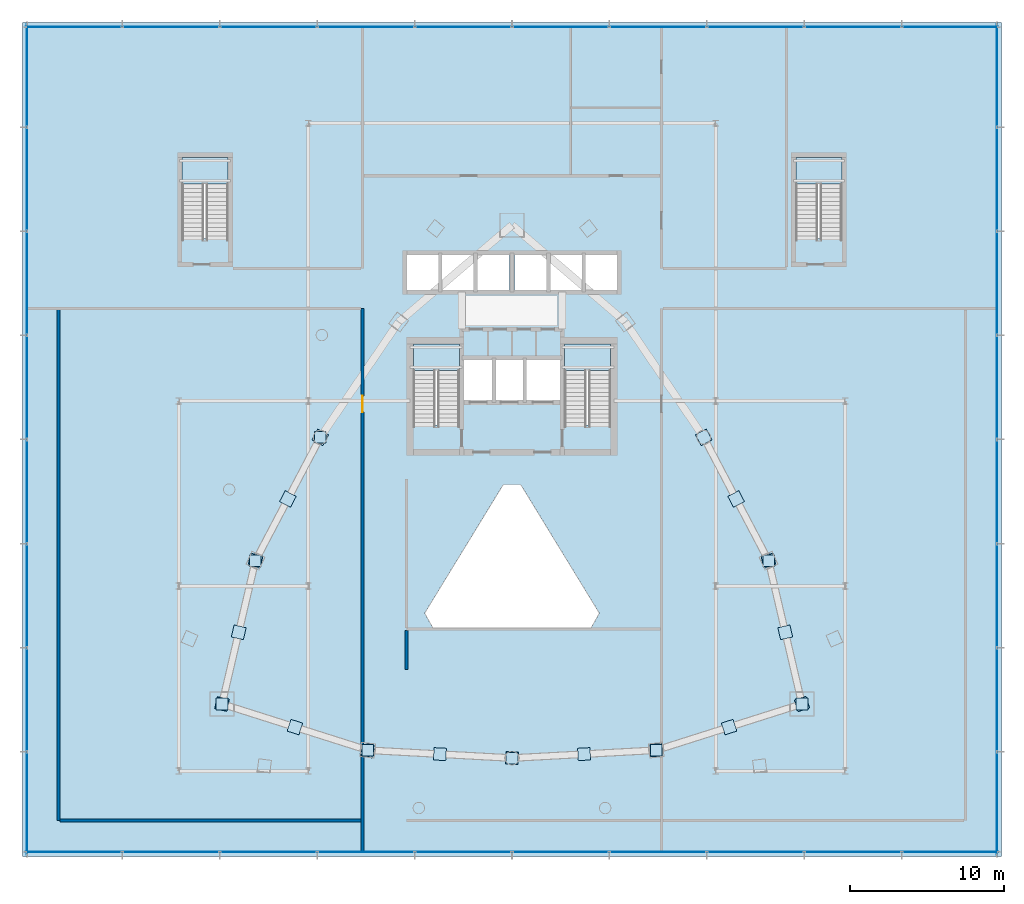
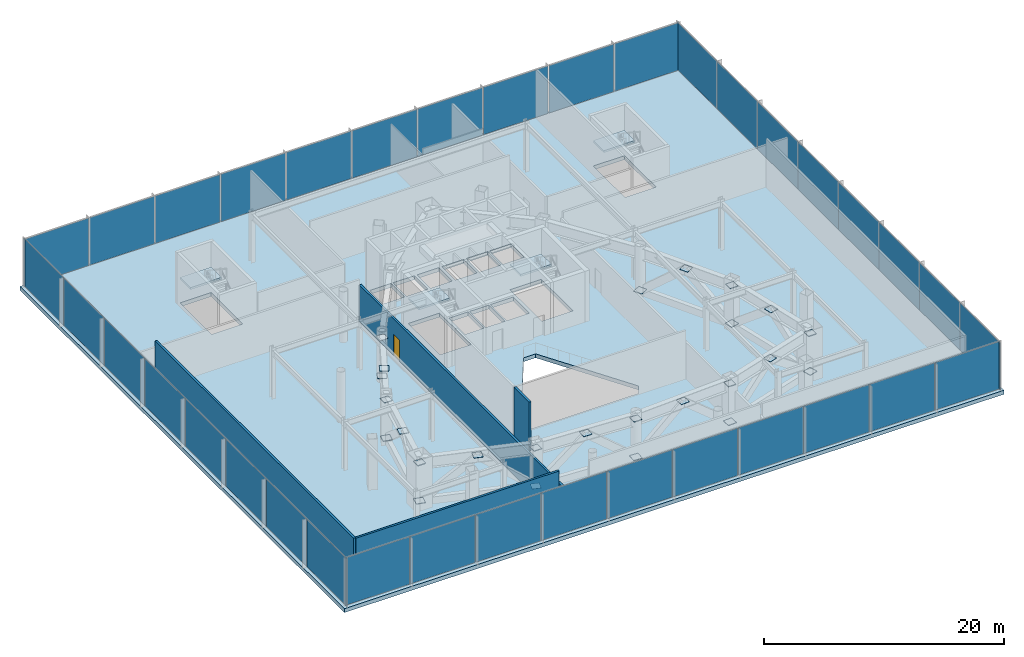
# One storey, part 33 of 43: 61 plates, 5 slabs, 4 walls, 1 door, 1 opening, 8 elements without a shape of their own.
"""IFC4 building model written with IfcOpenShell, lengths in metres."""

from ifc_helpers import new_model, si_unit, direction, frame, frame_2d, origin, origin_2d, place, context, subcontext, project, spatial, polyline, rectangle, outline, extrude, material, layer, layer_set, type_object, element, fill, aggregate, save


model = new_model("IFC4")

# Units and contexts
model_context = context("Model", 3, precision=1e-05, world=origin(), true_north=direction((0.0, 1.0)))
body_context = subcontext(model_context, "Body", "Model", "MODEL_VIEW")
ifc_project = project(units=[si_unit("LENGTHUNIT", "METRE"), si_unit("AREAUNIT", "SQUARE_METRE"), si_unit("VOLUMEUNIT", "CUBIC_METRE"), si_unit("PLANEANGLEUNIT", "RADIAN"), si_unit("MASSUNIT", "GRAM", prefix="KILO")], contexts=[model_context])

# Site, building, storey
site_placement = place(None, origin())
site = spatial("IfcSite", under=ifc_project, at=site_placement, CompositionType="ELEMENT")
building_placement = place(site_placement, origin())
building = spatial("IfcBuilding", under=site, at=building_placement, Name="Orvanel Arch Residences", CompositionType="ELEMENT")
storey_placement = place(building_placement, frame((0.0, 0.0, 18.39990234375)))
storey = spatial("IfcBuildingStorey", under=building, at=storey_placement, Name="L04", CompositionType="ELEMENT", Elevation=18.39990234375)

# Plates
ifc_material_1 = material(Name="Structural steel AS/NZS 3678 Grade 350", Category="steel")
ifc_layer_1 = layer(ifc_material_1, 0.028076171875)
ifc_layer_set_1 = layer_set([ifc_layer_1], Name="Structural steel AS/NZS 3678 Grade 350")
plate_type_1 = type_object("IfcPlateType", Name="PL-CAP-28", PredefinedType="SHEET", material=ifc_layer_set_1)
for number, where, z_axis, x_axis, name in (
    (1, (16.366943359375, 19.64208984375, 0.43603515625), (0.0, 0.0, 1.0), (0.226651307437, 0.973975967279, 0.0), "L04 hollow member end cap plate"),
    (2, (14.198974609375, 10.35107421875, 0.43603515625), (0.0, 0.0, 1.0), (0.226651307437, 0.973975967279, 0.0), "L04 hollow member end cap plate"),
    (3, (15.282958984375, 14.9970703125, 4.34619140625), (0.0, 0.0, 1.0), (0.226651307437, 0.973975967279, 0.0), "L04 hollow member end cap plate"),
    (4, (23.64892578125, 7.35498046875, 0.43603515625), (0.0, 0.0, 1.0), (-0.953190667793, 0.30236989075, 0.0), "L04 hollow member end cap plate"),
    (5, (18.924072265625, 8.85302734375, 4.34619140625), (0.0, 0.0, 1.0), (-0.953190667793, 0.30236989075, 0.0), "L04 hollow member end cap plate"),
    (6, (33.0, 6.843994140625, 0.43603515625), (0.0, 0.0, 1.0), (-0.998536670326, 0.054078812985, 0.0), "L04 hollow member end cap plate"),
    (7, (28.324951171875, 7.10009765625, 4.34619140625), (0.0, 0.0, 1.0), (-0.998536670326, 0.054078812985, 0.0), "L04 hollow member end cap plate"),
    (8, (42.35107421875, 7.35498046875, 0.43603515625), (0.0, 0.0, 1.0), (0.998536670326, 0.054078812985, 0.0), "L04 hollow member end cap plate"),
    (9, (37.675048828125, 7.10009765625, 4.34619140625), (0.0, 0.0, 1.0), (0.998536670326, 0.054078812985, 0.0), "L04 hollow member end cap plate"),
    (10, (51.801025390625, 10.35107421875, 0.43603515625), (0.0, 0.0, 1.0), (0.953190667793, 0.30236989075, 0.0), "L04 hollow member end cap plate"),
    (11, (47.075927734375, 8.85302734375, 4.34619140625), (0.0, 0.0, 1.0), (0.953190667793, 0.30236989075, 0.0), "L04 hollow member end cap plate"),
    (12, (49.633056640625, 19.64208984375, 0.43603515625), (0.0, 0.0, 1.0), (-0.226651307437, 0.973975967279, 0.0), "L04 hollow member end cap plate"),
    (13, (50.717041015625, 14.9970703125, 4.34619140625), (0.0, 0.0, 1.0), (-0.226651307437, 0.973975967279, 0.0), "L04 hollow member end cap plate"),
    (14, (45.430908203125, 27.64111328125, 0.43603515625), (0.0, 0.0, 1.0), (-0.464842045725, 0.885393625754, 0.0), "L04 hollow member end cap plate"),
    (15, (47.531982421875, 23.64208984375, 4.34619140625), (0.0, 0.0, 1.0), (-0.464842045725, 0.885393625754, 0.0), "L04 hollow member end cap plate"),
    (16, (20.569091796875, 27.64111328125, 0.43603515625), (0.0, 0.0, 1.0), (0.464842045725, 0.885393625754, 0.0), "L04 hollow member end cap plate"),
    (17, (18.468017578125, 23.64208984375, 4.34619140625), (0.0, 0.0, 1.0), (0.464842045725, 0.885393625754, 0.0), "L04 hollow member end cap plate"),
):
    element("IfcPlate", number, at=place(storey_placement, frame(where, z_axis=z_axis, x_axis=x_axis)), inside=storey, type_object=plate_type_1, Name=name, PredefinedType="SHEET", context=body_context, shape_type="SweptSolid", body=[
        extrude(rectangle(XDim=0.800048828125, YDim=0.800048828125, at=origin_2d()), origin(), (0.0, 0.0, 1.0), 0.028076171875),
    ])
ifc_layer_2 = layer(ifc_material_1, 0.0400390625)
ifc_layer_set_2 = layer_set([ifc_layer_2], Name="Structural steel AS/NZS 3678 Grade 350")
plate_type_2 = type_object("IfcPlateType", Name="PL-GUS-40", PredefinedType="USERDEFINED", material=ifc_layer_set_2)
for number, where, z_axis, x_axis, name in (
    (18, (16.366943359375, 19.64208984375, 4.340087890625), (0.0, 0.0, 1.0), (1.0, 0.0, 0.0), "L04 Transfer Truss Node Gusset 00"),
    (19, (14.198974609375, 10.35107421875, 4.340087890625), (0.0, 0.0, 1.0), (1.0, 0.0, 0.0), "L04 Transfer Truss Node Gusset 01"),
    (20, (23.64892578125, 7.35498046875, 4.340087890625), (0.0, 0.0, 1.0), (1.0, 0.0, 0.0), "L04 Transfer Truss Node Gusset 02"),
    (21, (33.0, 6.843994140625, 4.340087890625), (0.0, 0.0, 1.0), (1.0, 0.0, 0.0), "L04 Transfer Truss Node Gusset 03"),
    (22, (42.35107421875, 7.35498046875, 4.340087890625), (0.0, 0.0, 1.0), (1.0, 0.0, 0.0), "L04 Transfer Truss Node Gusset 04"),
    (23, (51.801025390625, 10.35107421875, 4.340087890625), (0.0, 0.0, 1.0), (1.0, 0.0, 0.0), "L04 Transfer Truss Node Gusset 05"),
    (24, (49.633056640625, 19.64208984375, 4.340087890625), (0.0, 0.0, 1.0), (1.0, 0.0, 0.0), "L04 Transfer Truss Node Gusset 06"),
    (25, (20.569091796875, 27.64111328125, 4.340087890625), (0.0, 0.0, 1.0), (1.0, 0.0, 0.0), "L04 Transfer Truss Node Gusset 11"),
):
    element("IfcPlate", number, at=place(storey_placement, frame(where, z_axis=z_axis, x_axis=x_axis)), inside=storey, type_object=plate_type_2, Name=name, ObjectType="GUSSET_PLATE", PredefinedType="USERDEFINED", context=body_context, shape_type="SweptSolid", body=[
        extrude(rectangle(XDim=0.75, YDim=0.75, at=origin_2d()), origin(), (0.0, 0.0, 1.0), 0.0400390625),
    ])

# Curtain wall, plates
ifc_material_2 = material(Name="Bronze-anodised aluminium AA6063-T6", Category="aluminium")
ifc_layer_3 = layer(ifc_material_2, 0.199951171875)
ifc_layer_set_3 = layer_set([ifc_layer_3], Name="Bronze-anodised aluminium AA6063-T6")
curtain_wall_type = type_object("IfcCurtainWallType", Name="CW1-POD-SYS", PredefinedType="NOTDEFINED", material=ifc_layer_set_3)
curtain_wall_1_placement = place(storey_placement, origin())
curtain_wall_1 = element("IfcCurtainWall", 26, at=curtain_wall_1_placement, inside=storey, type_object=curtain_wall_type, Name="L04 CW1-POD-SYS Unitised Curtain Wall", PredefinedType="NOTDEFINED")
ifc_material_3 = material(Name="Double-glazed solar-control low-E safety glass", Category="glass")
ifc_layer_4 = layer(ifc_material_3, 0.031982421875)
ifc_layer_set_4 = layer_set([ifc_layer_4], Name="Double-glazed solar-control low-E safety glass")
plate_type_3 = type_object("IfcPlateType", Name="PNL-GLZ-32", PredefinedType="CURTAIN_PANEL", material=ifc_layer_set_4)
plate_1_placement = place(storey_placement, frame((4.587646484375, 0.75, 0.06494140625), z_axis=(0.0, 0.0, 1.0), x_axis=(1.0, 0.0, 0.0)))
plate_1 = element("IfcPlate", 27, at=plate_1_placement, type_object=plate_type_3, Name="CW-S1 panel 1.1", PredefinedType="CURTAIN_PANEL", context=body_context, shape_type="SweptSolid", body=[
    extrude(rectangle(XDim=6.20556640625, YDim=0.031982421875, at=origin_2d()), origin(), (0.0, 0.0, 1.0), 4.830078125),
])
plate_2_placement = place(storey_placement, frame((10.886962890625, 0.75, 0.06494140625), z_axis=(0.0, 0.0, 1.0), x_axis=(1.0, 0.0, 0.0)))
plate_2 = element("IfcPlate", 28, at=plate_2_placement, type_object=plate_type_3, Name="CW-S1 panel 2.1", PredefinedType="CURTAIN_PANEL", context=body_context, shape_type="SweptSolid", body=[
    extrude(rectangle(XDim=6.242919921875, YDim=0.031982421875, at=origin_2d()), origin(), (0.0, 0.0, 1.0), 4.830078125),
])
plate_3_placement = place(storey_placement, frame((17.205078125, 0.75, 0.06494140625), z_axis=(0.0, 0.0, 1.0), x_axis=(1.0, 0.0, 0.0)))
plate_3 = element("IfcPlate", 29, at=plate_3_placement, type_object=plate_type_3, Name="CW-S1 panel 3.1", PredefinedType="CURTAIN_PANEL", context=body_context, shape_type="SweptSolid", body=[
    extrude(rectangle(XDim=6.242919921875, YDim=0.031982421875, at=origin_2d()), origin(), (0.0, 0.0, 1.0), 4.830078125),
])
plate_4_placement = place(storey_placement, frame((23.52294921875, 0.75, 0.06494140625), z_axis=(0.0, 0.0, 1.0), x_axis=(1.0, 0.0, 0.0)))
plate_4 = element("IfcPlate", 30, at=plate_4_placement, type_object=plate_type_3, Name="CW-S1 panel 4.1", PredefinedType="CURTAIN_PANEL", context=body_context, shape_type="SweptSolid", body=[
    extrude(rectangle(XDim=6.242919921875, YDim=0.031982421875, at=origin_2d()), origin(), (0.0, 0.0, 1.0), 4.830078125),
])
plate_5_placement = place(storey_placement, frame((29.841064453125, 0.75, 0.06494140625), z_axis=(0.0, 0.0, 1.0), x_axis=(1.0, 0.0, 0.0)))
plate_5 = element("IfcPlate", 31, at=plate_5_placement, type_object=plate_type_3, Name="CW-S1 panel 5.1", PredefinedType="CURTAIN_PANEL", context=body_context, shape_type="SweptSolid", body=[
    extrude(rectangle(XDim=6.242919921875, YDim=0.031982421875, at=origin_2d()), origin(), (0.0, 0.0, 1.0), 4.830078125),
])
plate_6_placement = place(storey_placement, frame((36.158935546875, 0.75, 0.06494140625), z_axis=(0.0, 0.0, 1.0), x_axis=(1.0, 0.0, 0.0)))
plate_6 = element("IfcPlate", 32, at=plate_6_placement, type_object=plate_type_3, Name="CW-S1 panel 6.1", PredefinedType="CURTAIN_PANEL", context=body_context, shape_type="SweptSolid", body=[
    extrude(rectangle(XDim=6.242919921875, YDim=0.031982421875, at=origin_2d()), origin(), (0.0, 0.0, 1.0), 4.830078125),
])
plate_7_placement = place(storey_placement, frame((42.47705078125, 0.75, 0.06494140625), z_axis=(0.0, 0.0, 1.0), x_axis=(1.0, 0.0, 0.0)))
plate_7 = element("IfcPlate", 33, at=plate_7_placement, type_object=plate_type_3, Name="CW-S1 panel 7.1", PredefinedType="CURTAIN_PANEL", context=body_context, shape_type="SweptSolid", body=[
    extrude(rectangle(XDim=6.242919921875, YDim=0.031982421875, at=origin_2d()), origin(), (0.0, 0.0, 1.0), 4.830078125),
])
plate_8_placement = place(storey_placement, frame((48.794921875, 0.75, 0.06494140625), z_axis=(0.0, 0.0, 1.0), x_axis=(1.0, 0.0, 0.0)))
plate_8 = element("IfcPlate", 34, at=plate_8_placement, type_object=plate_type_3, Name="CW-S1 panel 8.1", PredefinedType="CURTAIN_PANEL", context=body_context, shape_type="SweptSolid", body=[
    extrude(rectangle(XDim=6.242919921875, YDim=0.031982421875, at=origin_2d()), origin(), (0.0, 0.0, 1.0), 4.830078125),
])
plate_9_placement = place(storey_placement, frame((55.113037109375, 0.75, 0.06494140625), z_axis=(0.0, 0.0, 1.0), x_axis=(1.0, 0.0, 0.0)))
plate_9 = element("IfcPlate", 35, at=plate_9_placement, type_object=plate_type_3, Name="CW-S1 panel 9.1", PredefinedType="CURTAIN_PANEL", context=body_context, shape_type="SweptSolid", body=[
    extrude(rectangle(XDim=6.242919921875, YDim=0.031982421875, at=origin_2d()), origin(), (0.0, 0.0, 1.0), 4.830078125),
])
plate_10_placement = place(storey_placement, frame((61.412353515625, 0.75, 0.06494140625), z_axis=(0.0, 0.0, 1.0), x_axis=(1.0, 0.0, 0.0)))
plate_10 = element("IfcPlate", 36, at=plate_10_placement, type_object=plate_type_3, Name="CW-S1 panel 10.1", PredefinedType="CURTAIN_PANEL", context=body_context, shape_type="SweptSolid", body=[
    extrude(rectangle(XDim=6.20556640625, YDim=0.031982421875, at=origin_2d()), origin(), (0.0, 0.0, 1.0), 4.830078125),
])
aggregate(curtain_wall_1, [plate_1, plate_2, plate_3, plate_4, plate_5, plate_6, plate_7, plate_8, plate_9, plate_10])

curtain_wall_2_placement = place(storey_placement, origin())
curtain_wall_2 = element("IfcCurtainWall", 37, at=curtain_wall_2_placement, inside=storey, type_object=curtain_wall_type, Name="L04 CW1-POD-SYS Unitised Curtain Wall", PredefinedType="NOTDEFINED")
plate_11_placement = place(storey_placement, frame((61.412353515625, 54.25, 0.06494140625), z_axis=(0.0, 0.0, 1.0), x_axis=(-1.0, 0.0, 0.0)))
plate_11 = element("IfcPlate", 38, at=plate_11_placement, type_object=plate_type_3, Name="CW-S1 panel 1.1", PredefinedType="CURTAIN_PANEL", context=body_context, shape_type="SweptSolid", body=[
    extrude(rectangle(XDim=6.20556640625, YDim=0.031982421875, at=origin_2d()), origin(), (0.0, 0.0, 1.0), 4.830078125),
])
plate_12_placement = place(storey_placement, frame((55.113037109375, 54.25, 0.06494140625), z_axis=(0.0, 0.0, 1.0), x_axis=(-1.0, 0.0, 0.0)))
plate_12 = element("IfcPlate", 39, at=plate_12_placement, type_object=plate_type_3, Name="CW-S1 panel 2.1", PredefinedType="CURTAIN_PANEL", context=body_context, shape_type="SweptSolid", body=[
    extrude(rectangle(XDim=6.242919921875, YDim=0.031982421875, at=origin_2d()), origin(), (0.0, 0.0, 1.0), 4.830078125),
])
plate_13_placement = place(storey_placement, frame((48.794921875, 54.25, 0.06494140625), z_axis=(0.0, 0.0, 1.0), x_axis=(-1.0, 0.0, 0.0)))
plate_13 = element("IfcPlate", 40, at=plate_13_placement, type_object=plate_type_3, Name="CW-S1 panel 3.1", PredefinedType="CURTAIN_PANEL", context=body_context, shape_type="SweptSolid", body=[
    extrude(rectangle(XDim=6.242919921875, YDim=0.031982421875, at=origin_2d()), origin(), (0.0, 0.0, 1.0), 4.830078125),
])
plate_14_placement = place(storey_placement, frame((42.47705078125, 54.25, 0.06494140625), z_axis=(0.0, 0.0, 1.0), x_axis=(-1.0, 0.0, 0.0)))
plate_14 = element("IfcPlate", 41, at=plate_14_placement, type_object=plate_type_3, Name="CW-S1 panel 4.1", PredefinedType="CURTAIN_PANEL", context=body_context, shape_type="SweptSolid", body=[
    extrude(rectangle(XDim=6.242919921875, YDim=0.031982421875, at=origin_2d()), origin(), (0.0, 0.0, 1.0), 4.830078125),
])
plate_15_placement = place(storey_placement, frame((36.158935546875, 54.25, 0.06494140625), z_axis=(0.0, 0.0, 1.0), x_axis=(-1.0, 0.0, 0.0)))
plate_15 = element("IfcPlate", 42, at=plate_15_placement, type_object=plate_type_3, Name="CW-S1 panel 5.1", PredefinedType="CURTAIN_PANEL", context=body_context, shape_type="SweptSolid", body=[
    extrude(rectangle(XDim=6.242919921875, YDim=0.031982421875, at=origin_2d()), origin(), (0.0, 0.0, 1.0), 4.830078125),
])
plate_16_placement = place(storey_placement, frame((29.841064453125, 54.25, 0.06494140625), z_axis=(0.0, 0.0, 1.0), x_axis=(-1.0, 0.0, 0.0)))
plate_16 = element("IfcPlate", 43, at=plate_16_placement, type_object=plate_type_3, Name="CW-S1 panel 6.1", PredefinedType="CURTAIN_PANEL", context=body_context, shape_type="SweptSolid", body=[
    extrude(rectangle(XDim=6.242919921875, YDim=0.031982421875, at=origin_2d()), origin(), (0.0, 0.0, 1.0), 4.830078125),
])
plate_17_placement = place(storey_placement, frame((23.52294921875, 54.25, 0.06494140625), z_axis=(0.0, 0.0, 1.0), x_axis=(-1.0, 0.0, 0.0)))
plate_17 = element("IfcPlate", 44, at=plate_17_placement, type_object=plate_type_3, Name="CW-S1 panel 7.1", PredefinedType="CURTAIN_PANEL", context=body_context, shape_type="SweptSolid", body=[
    extrude(rectangle(XDim=6.242919921875, YDim=0.031982421875, at=origin_2d()), origin(), (0.0, 0.0, 1.0), 4.830078125),
])
plate_18_placement = place(storey_placement, frame((17.205078125, 54.25, 0.06494140625), z_axis=(0.0, 0.0, 1.0), x_axis=(-1.0, 0.0, 0.0)))
plate_18 = element("IfcPlate", 45, at=plate_18_placement, type_object=plate_type_3, Name="CW-S1 panel 8.1", PredefinedType="CURTAIN_PANEL", context=body_context, shape_type="SweptSolid", body=[
    extrude(rectangle(XDim=6.242919921875, YDim=0.031982421875, at=origin_2d()), origin(), (0.0, 0.0, 1.0), 4.830078125),
])
plate_19_placement = place(storey_placement, frame((10.886962890625, 54.25, 0.06494140625), z_axis=(0.0, 0.0, 1.0), x_axis=(-1.0, 0.0, 0.0)))
plate_19 = element("IfcPlate", 46, at=plate_19_placement, type_object=plate_type_3, Name="CW-S1 panel 9.1", PredefinedType="CURTAIN_PANEL", context=body_context, shape_type="SweptSolid", body=[
    extrude(rectangle(XDim=6.242919921875, YDim=0.031982421875, at=origin_2d()), origin(), (0.0, 0.0, 1.0), 4.830078125),
])
plate_20_placement = place(storey_placement, frame((4.587646484375, 54.25, 0.06494140625), z_axis=(0.0, 0.0, 1.0), x_axis=(-1.0, 0.0, 0.0)))
plate_20 = element("IfcPlate", 47, at=plate_20_placement, type_object=plate_type_3, Name="CW-S1 panel 10.1", PredefinedType="CURTAIN_PANEL", context=body_context, shape_type="SweptSolid", body=[
    extrude(rectangle(XDim=6.20556640625, YDim=0.031982421875, at=origin_2d()), origin(), (0.0, 0.0, 1.0), 4.830078125),
])
aggregate(curtain_wall_2, [plate_11, plate_12, plate_13, plate_14, plate_15, plate_16, plate_17, plate_18, plate_19, plate_20])

curtain_wall_3_placement = place(storey_placement, origin())
curtain_wall_3 = element("IfcCurtainWall", 48, at=curtain_wall_3_placement, inside=storey, type_object=curtain_wall_type, Name="L04 CW1-POD-SYS Unitised Curtain Wall", PredefinedType="NOTDEFINED")
plate_21_placement = place(storey_placement, frame((64.449951171875, 3.885009765625, 0.06494140625), z_axis=(0.0, 0.0, 1.0), x_axis=(0.0, 1.0, 0.0)))
plate_21 = element("IfcPlate", 49, at=plate_21_placement, type_object=plate_type_3, Name="CW-S1 panel 1.1", PredefinedType="CURTAIN_PANEL", context=body_context, shape_type="SweptSolid", body=[
    extrude(rectangle(XDim=6.639892578125, YDim=0.031982421875, at=origin_2d()), origin(), (0.0, 0.0, 1.0), 4.830078125),
])
plate_22_placement = place(storey_placement, frame((64.449951171875, 10.61865234375, 0.06494140625), z_axis=(0.0, 0.0, 1.0), x_axis=(0.0, 1.0, 0.0)))
plate_22 = element("IfcPlate", 50, at=plate_22_placement, type_object=plate_type_3, Name="CW-S1 panel 2.1", PredefinedType="CURTAIN_PANEL", context=body_context, shape_type="SweptSolid", body=[
    extrude(rectangle(XDim=6.677490234375, YDim=0.031982421875, at=origin_2d()), origin(), (0.0, 0.0, 1.0), 4.830078125),
])
plate_23_placement = place(storey_placement, frame((64.449951171875, 17.371337890625, 0.06494140625), z_axis=(0.0, 0.0, 1.0), x_axis=(0.0, 1.0, 0.0)))
plate_23 = element("IfcPlate", 51, at=plate_23_placement, type_object=plate_type_3, Name="CW-S1 panel 3.1", PredefinedType="CURTAIN_PANEL", context=body_context, shape_type="SweptSolid", body=[
    extrude(rectangle(XDim=6.677490234375, YDim=0.031982421875, at=origin_2d()), origin(), (0.0, 0.0, 1.0), 4.830078125),
])
plate_24_placement = place(storey_placement, frame((64.449951171875, 24.123779296875, 0.06494140625), z_axis=(0.0, 0.0, 1.0), x_axis=(0.0, 1.0, 0.0)))
plate_24 = element("IfcPlate", 52, at=plate_24_placement, type_object=plate_type_3, Name="CW-S1 panel 4.1", PredefinedType="CURTAIN_PANEL", context=body_context, shape_type="SweptSolid", body=[
    extrude(rectangle(XDim=6.677490234375, YDim=0.031982421875, at=origin_2d()), origin(), (0.0, 0.0, 1.0), 4.830078125),
])
plate_25_placement = place(storey_placement, frame((64.449951171875, 30.876220703125, 0.06494140625), z_axis=(0.0, 0.0, 1.0), x_axis=(0.0, 1.0, 0.0)))
plate_25 = element("IfcPlate", 53, at=plate_25_placement, type_object=plate_type_3, Name="CW-S1 panel 5.1", PredefinedType="CURTAIN_PANEL", context=body_context, shape_type="SweptSolid", body=[
    extrude(rectangle(XDim=6.677490234375, YDim=0.031982421875, at=origin_2d()), origin(), (0.0, 0.0, 1.0), 4.830078125),
])
plate_26_placement = place(storey_placement, frame((64.449951171875, 37.628662109375, 0.06494140625), z_axis=(0.0, 0.0, 1.0), x_axis=(0.0, 1.0, 0.0)))
plate_26 = element("IfcPlate", 54, at=plate_26_placement, type_object=plate_type_3, Name="CW-S1 panel 6.1", PredefinedType="CURTAIN_PANEL", context=body_context, shape_type="SweptSolid", body=[
    extrude(rectangle(XDim=6.677490234375, YDim=0.031982421875, at=origin_2d()), origin(), (0.0, 0.0, 1.0), 4.830078125),
])
plate_27_placement = place(storey_placement, frame((64.449951171875, 44.38134765625, 0.06494140625), z_axis=(0.0, 0.0, 1.0), x_axis=(0.0, 1.0, 0.0)))
plate_27 = element("IfcPlate", 55, at=plate_27_placement, type_object=plate_type_3, Name="CW-S1 panel 7.1", PredefinedType="CURTAIN_PANEL", context=body_context, shape_type="SweptSolid", body=[
    extrude(rectangle(XDim=6.677490234375, YDim=0.031982421875, at=origin_2d()), origin(), (0.0, 0.0, 1.0), 4.830078125),
])
plate_28_placement = place(storey_placement, frame((64.449951171875, 51.114990234375, 0.06494140625), z_axis=(0.0, 0.0, 1.0), x_axis=(0.0, 1.0, 0.0)))
plate_28 = element("IfcPlate", 56, at=plate_28_placement, type_object=plate_type_3, Name="CW-S1 panel 8.1", PredefinedType="CURTAIN_PANEL", context=body_context, shape_type="SweptSolid", body=[
    extrude(rectangle(XDim=6.639892578125, YDim=0.031982421875, at=origin_2d()), origin(), (0.0, 0.0, 1.0), 4.830078125),
])
aggregate(curtain_wall_3, [plate_21, plate_22, plate_23, plate_24, plate_25, plate_26, plate_27, plate_28])

curtain_wall_4_placement = place(storey_placement, origin())
curtain_wall_4 = element("IfcCurtainWall", 57, at=curtain_wall_4_placement, inside=storey, type_object=curtain_wall_type, Name="L04 CW1-POD-SYS Unitised Curtain Wall", PredefinedType="NOTDEFINED")
plate_29_placement = place(storey_placement, frame((1.550048828125, 51.114990234375, 0.06494140625), z_axis=(0.0, 0.0, 1.0), x_axis=(0.0, -1.0, 0.0)))
plate_29 = element("IfcPlate", 58, at=plate_29_placement, type_object=plate_type_3, Name="CW-S1 panel 1.1", PredefinedType="CURTAIN_PANEL", context=body_context, shape_type="SweptSolid", body=[
    extrude(rectangle(XDim=6.639892578125, YDim=0.031982421875, at=origin_2d()), origin(), (0.0, 0.0, 1.0), 4.830078125),
])
plate_30_placement = place(storey_placement, frame((1.550048828125, 44.38134765625, 0.06494140625), z_axis=(0.0, 0.0, 1.0), x_axis=(0.0, -1.0, 0.0)))
plate_30 = element("IfcPlate", 59, at=plate_30_placement, type_object=plate_type_3, Name="CW-S1 panel 2.1", PredefinedType="CURTAIN_PANEL", context=body_context, shape_type="SweptSolid", body=[
    extrude(rectangle(XDim=6.677490234375, YDim=0.031982421875, at=origin_2d()), origin(), (0.0, 0.0, 1.0), 4.830078125),
])
plate_31_placement = place(storey_placement, frame((1.550048828125, 37.628662109375, 0.06494140625), z_axis=(0.0, 0.0, 1.0), x_axis=(0.0, -1.0, 0.0)))
plate_31 = element("IfcPlate", 60, at=plate_31_placement, type_object=plate_type_3, Name="CW-S1 panel 3.1", PredefinedType="CURTAIN_PANEL", context=body_context, shape_type="SweptSolid", body=[
    extrude(rectangle(XDim=6.677490234375, YDim=0.031982421875, at=origin_2d()), origin(), (0.0, 0.0, 1.0), 4.830078125),
])
plate_32_placement = place(storey_placement, frame((1.550048828125, 30.876220703125, 0.06494140625), z_axis=(0.0, 0.0, 1.0), x_axis=(0.0, -1.0, 0.0)))
plate_32 = element("IfcPlate", 61, at=plate_32_placement, type_object=plate_type_3, Name="CW-S1 panel 4.1", PredefinedType="CURTAIN_PANEL", context=body_context, shape_type="SweptSolid", body=[
    extrude(rectangle(XDim=6.677490234375, YDim=0.031982421875, at=origin_2d()), origin(), (0.0, 0.0, 1.0), 4.830078125),
])
plate_33_placement = place(storey_placement, frame((1.550048828125, 24.123779296875, 0.06494140625), z_axis=(0.0, 0.0, 1.0), x_axis=(0.0, -1.0, 0.0)))
plate_33 = element("IfcPlate", 62, at=plate_33_placement, type_object=plate_type_3, Name="CW-S1 panel 5.1", PredefinedType="CURTAIN_PANEL", context=body_context, shape_type="SweptSolid", body=[
    extrude(rectangle(XDim=6.677490234375, YDim=0.031982421875, at=origin_2d()), origin(), (0.0, 0.0, 1.0), 4.830078125),
])
plate_34_placement = place(storey_placement, frame((1.550048828125, 17.371337890625, 0.06494140625), z_axis=(0.0, 0.0, 1.0), x_axis=(0.0, -1.0, 0.0)))
plate_34 = element("IfcPlate", 63, at=plate_34_placement, type_object=plate_type_3, Name="CW-S1 panel 6.1", PredefinedType="CURTAIN_PANEL", context=body_context, shape_type="SweptSolid", body=[
    extrude(rectangle(XDim=6.677490234375, YDim=0.031982421875, at=origin_2d()), origin(), (0.0, 0.0, 1.0), 4.830078125),
])
plate_35_placement = place(storey_placement, frame((1.550048828125, 10.61865234375, 0.06494140625), z_axis=(0.0, 0.0, 1.0), x_axis=(0.0, -1.0, 0.0)))
plate_35 = element("IfcPlate", 64, at=plate_35_placement, type_object=plate_type_3, Name="CW-S1 panel 7.1", PredefinedType="CURTAIN_PANEL", context=body_context, shape_type="SweptSolid", body=[
    extrude(rectangle(XDim=6.677490234375, YDim=0.031982421875, at=origin_2d()), origin(), (0.0, 0.0, 1.0), 4.830078125),
])
plate_36_placement = place(storey_placement, frame((1.550048828125, 3.885009765625, 0.06494140625), z_axis=(0.0, 0.0, 1.0), x_axis=(0.0, -1.0, 0.0)))
plate_36 = element("IfcPlate", 65, at=plate_36_placement, type_object=plate_type_3, Name="CW-S1 panel 8.1", PredefinedType="CURTAIN_PANEL", context=body_context, shape_type="SweptSolid", body=[
    extrude(rectangle(XDim=6.639892578125, YDim=0.031982421875, at=origin_2d()), origin(), (0.0, 0.0, 1.0), 4.830078125),
])
aggregate(curtain_wall_4, [plate_29, plate_30, plate_31, plate_32, plate_33, plate_34, plate_35, plate_36])

# Stair, slab
ifc_material_4 = material(Name="Precast concrete N50 (50 MPa)", Category="concrete")
stair_type = type_object("IfcStairType", Name="STR-DOG-184", PredefinedType="USERDEFINED", material=ifc_material_4)
stair_1_placement = place(storey_placement, origin())
stair_1 = element("IfcStair", 66, at=stair_1_placement, inside=storey, type_object=stair_type, Name="L04 Fire-Isolated Core Exit Stair 1", ObjectType="TWO_RETURN_STAIR", PredefinedType="USERDEFINED")
ifc_material_5 = material(Name="Concrete N40 (40 MPa)", Category="concrete")
ifc_layer_5 = layer(ifc_material_5, 0.199951171875)
ifc_layer_set_5 = layer_set([ifc_layer_5], Name="Concrete N40 (40 MPa)")
slab_type_1 = type_object("IfcSlabType", Name="SLB-LND-200", PredefinedType="LANDING", material=ifc_layer_set_5)
slab_1_placement = place(storey_placement, frame((0.0, 0.0, 2.400146484375)))
slab_1 = element("IfcSlab", 67, at=slab_1_placement, type_object=slab_type_1, Name="ST-1 landing 1", PredefinedType="LANDING", context=body_context, shape_type="SweptSolid", body=[
    extrude(outline(polyline([(29.60009765625, 31.9599609375), (29.60009765625, 33.699951171875), (26.60009765625, 33.699951171875), (26.60009765625, 31.9599609375), (29.60009765625, 31.9599609375)])), origin(), (0.0, 0.0, 1.0), 0.199951171875),
])
aggregate(stair_1, [slab_1])

stair_2_placement = place(storey_placement, origin())
stair_2 = element("IfcStair", 68, at=stair_2_placement, inside=storey, type_object=stair_type, Name="L04 Fire-Isolated Core Exit Stair 2", ObjectType="TWO_RETURN_STAIR", PredefinedType="USERDEFINED")
slab_2_placement = place(storey_placement, frame((0.0, 0.0, 2.400146484375)))
slab_2 = element("IfcSlab", 69, at=slab_2_placement, type_object=slab_type_1, Name="ST-2 landing 1", PredefinedType="LANDING", context=body_context, shape_type="SweptSolid", body=[
    extrude(outline(polyline([(39.39990234375, 31.9599609375), (39.39990234375, 33.699951171875), (36.39990234375, 33.699951171875), (36.39990234375, 31.9599609375), (39.39990234375, 31.9599609375)])), origin(), (0.0, 0.0, 1.0), 0.199951171875),
])
aggregate(stair_2, [slab_2])

stair_3_placement = place(storey_placement, origin())
stair_3 = element("IfcStair", 70, at=stair_3_placement, inside=storey, type_object=stair_type, Name="L04 West Podium Fire-Isolated Exit Stair 3", ObjectType="TWO_RETURN_STAIR", PredefinedType="USERDEFINED")
slab_3_placement = place(storey_placement, frame((0.0, 0.0, 2.400146484375)))
slab_3 = element("IfcSlab", 71, at=slab_3_placement, type_object=slab_type_1, Name="ST-3 landing 1", PredefinedType="LANDING", context=body_context, shape_type="SweptSolid", body=[
    extrude(outline(polyline([(14.60009765625, 44.06005859375), (14.60009765625, 45.800048828125), (11.60009765625, 45.800048828125), (11.60009765625, 44.06005859375), (14.60009765625, 44.06005859375)])), origin(), (0.0, 0.0, 1.0), 0.199951171875),
])
aggregate(stair_3, [slab_3])

stair_4_placement = place(storey_placement, origin())
stair_4 = element("IfcStair", 72, at=stair_4_placement, inside=storey, type_object=stair_type, Name="L04 East Podium Fire-Isolated Exit Stair 4", ObjectType="TWO_RETURN_STAIR", PredefinedType="USERDEFINED")
slab_4_placement = place(storey_placement, frame((0.0, 0.0, 2.400146484375)))
slab_4 = element("IfcSlab", 73, at=slab_4_placement, type_object=slab_type_1, Name="ST-4 landing 1", PredefinedType="LANDING", context=body_context, shape_type="SweptSolid", body=[
    extrude(outline(polyline([(54.39990234375, 44.06005859375), (54.39990234375, 45.800048828125), (51.39990234375, 45.800048828125), (51.39990234375, 44.06005859375), (54.39990234375, 44.06005859375)])), origin(), (0.0, 0.0, 1.0), 0.199951171875),
])
aggregate(stair_4, [slab_4])

# Slab
ifc_material_6 = material(Name="Concrete N50 (50 MPa)", Category="concrete")
ifc_layer_6 = layer(ifc_material_6, 0.39990234375)
ifc_layer_set_6 = layer_set([ifc_layer_6], Name="Concrete N50 (50 MPa)")
slab_type_2 = type_object("IfcSlabType", Name="SLB-TRF-400", PredefinedType="FLOOR", material=ifc_layer_set_6)
slab_5_placement = place(storey_placement, frame((0.0, 0.0, -0.39990234375)))
element("IfcSlab", 74, at=slab_5_placement, inside=storey, type_object=slab_type_2, Name="L04 Podium Floor Slab", PredefinedType="FLOOR", context=body_context, shape_type="SweptSolid", body=[
    extrude(outline(polyline([(1.25, 0.449951171875), (64.75, 0.449951171875), (64.75, 54.550048828125), (1.25, 54.550048828125), (1.25, 0.449951171875)]), holes=[polyline([(26.60009765625, 28.429931640625), (26.60009765625, 33.699951171875), (29.60009765625, 33.699951171875), (29.60009765625, 28.429931640625), (26.60009765625, 28.429931640625)]), polyline([(36.39990234375, 28.429931640625), (36.39990234375, 33.699951171875), (39.39990234375, 33.699951171875), (39.39990234375, 28.429931640625), (36.39990234375, 28.429931640625)]), polyline([(11.60009765625, 40.530029296875), (11.60009765625, 45.800048828125), (14.60009765625, 45.800048828125), (14.60009765625, 40.530029296875), (11.60009765625, 40.530029296875)]), polyline([(51.39990234375, 40.530029296875), (51.39990234375, 45.800048828125), (54.39990234375, 45.800048828125), (54.39990234375, 40.530029296875), (51.39990234375, 40.530029296875)]), polyline([(29.89990234375, 32.64990234375), (31.75, 32.64990234375), (31.75, 29.949951171875), (29.89990234375, 29.949951171875), (29.89990234375, 32.64990234375)]), polyline([(31.89990234375, 32.64990234375), (33.75, 32.64990234375), (33.75, 29.949951171875), (31.89990234375, 29.949951171875), (31.89990234375, 32.64990234375)]), polyline([(33.89990234375, 32.64990234375), (36.10009765625, 32.64990234375), (36.10009765625, 29.949951171875), (33.89990234375, 29.949951171875), (33.89990234375, 32.64990234375)]), polyline([(26.199951171875, 39.449951171875), (28.25, 39.449951171875), (28.25, 37.199951171875), (26.199951171875, 37.199951171875), (26.199951171875, 39.449951171875)]), polyline([(37.75, 39.449951171875), (39.800048828125, 39.449951171875), (39.800048828125, 37.199951171875), (37.75, 37.199951171875), (37.75, 39.449951171875)]), polyline([(28.449951171875, 39.449951171875), (30.5, 39.449951171875), (30.5, 37.199951171875), (28.449951171875, 37.199951171875), (28.449951171875, 39.449951171875)]), polyline([(35.5, 39.449951171875), (37.550048828125, 39.449951171875), (37.550048828125, 37.199951171875), (35.5, 37.199951171875), (35.5, 39.449951171875)]), polyline([(30.75, 39.449951171875), (32.85009765625, 39.449951171875), (32.85009765625, 37.199951171875), (30.75, 37.199951171875), (30.75, 39.449951171875)]), polyline([(33.14990234375, 39.449951171875), (35.25, 39.449951171875), (35.25, 37.199951171875), (33.14990234375, 37.199951171875), (33.14990234375, 39.449951171875)]), polyline([(38.662109375, 16.238037109375), (38.135009765625, 15.300048828125), (27.864990234375, 15.300048828125), (27.337890625, 16.238037109375), (32.426025390625, 24.56103515625), (33.573974609375, 24.56103515625), (38.662109375, 16.238037109375)])]), origin(), (0.0, 0.0, 1.0), 0.39990234375),
])

# Wall, opening, door
ifc_material_7 = material(Name="Fire-rated plasterboard lined steel stud partition", Category="steel")
ifc_layer_7 = layer(ifc_material_7, 0.199951171875)
ifc_layer_set_7 = layer_set([ifc_layer_7], Name="Fire-rated plasterboard lined steel stud partition")
wall_type = type_object("IfcWallType", Name="W-PLT-200", PredefinedType="PARTITIONING", material=ifc_layer_set_7)
wall_1_placement = place(storey_placement, frame((23.300048828125, 0.764892578125, 0.0), z_axis=(0.0, 0.0, 1.0), x_axis=(0.0, 1.0, 0.0)))
wall_1 = element("IfcWall", 75, at=wall_1_placement, inside=storey, type_object=wall_type, Name="L04 West Wing Corridor Wall", PredefinedType="PARTITIONING", context=body_context, shape_type="SweptSolid", body=[
    extrude(rectangle(XDim=35.235107421875, YDim=0.199951171875, at=frame_2d((17.61767578125, 0.0))), origin(), (0.0, 0.0, 1.0), 3.72509765625),
])
opening_placement = place(wall_1_placement, frame((28.510009765625, 0.0, 0.0)))
opening = element("IfcOpeningElement", 76, at=opening_placement, cuts=wall_1, Name="Opening DF-120", PredefinedType="OPENING", context=body_context, shape_type="SweptSolid", body=[
    extrude(rectangle(XDim=1.050048828125, YDim=2.14990234375, at=frame_2d((0.52490234375, 1.074951171875))), frame((0.0, 0.10986328125, 0.0), z_axis=(0.0, -1.0, 0.0), x_axis=(1.0, 0.0, 0.0)), (0.0, 0.0, 1.0), 0.219970703125),
])
ifc_material_8 = material(Name="Galvanised steel fire-resisting door assembly", Category="steel")
door_type = type_object("IfcDoorType", Name="DR-FD120-1050", OperationType="NOTDEFINED", PredefinedType="DOOR", material=ifc_material_8)
door_placement = place(opening_placement, origin())
door = element("IfcDoor", 77, at=door_placement, inside=storey, type_object=door_type, Name="DR-L04-SW L04 West Chiller Mechanical Plant Room Door", OperationType="SINGLE_SWING_LEFT", OverallHeight=2.14990234375, OverallWidth=1.050048828125, PredefinedType="DOOR", context=body_context, shape_type="SweptSolid", body=[
    extrude(rectangle(XDim=1.050048828125, YDim=2.14990234375, at=frame_2d((0.52490234375, 1.074951171875))), frame((0.0, 0.02490234375, 0.0), z_axis=(0.0, -1.0, 0.0), x_axis=(1.0, 0.0, 0.0)), (0.0, 0.0, 1.0), 0.050048828125),
])
fill(opening, door)

# Walls
wall_2_placement = place(storey_placement, frame((3.60009765625, 2.800048828125, 0.0), z_axis=(0.0, 0.0, 1.0), x_axis=(0.0, 1.0, 0.0)))
element("IfcWall", 78, at=wall_2_placement, inside=storey, type_object=wall_type, Name="L04 West Transfer Truss Separation Wall", PredefinedType="PARTITIONING", context=body_context, shape_type="SweptSolid", body=[
    extrude(rectangle(XDim=33.114990234375, YDim=0.199951171875, at=frame_2d((16.5576171875, 0.0))), origin(), (0.0, 0.0, 1.0), 4.960205078125),
])
wall_3_placement = place(storey_placement, frame((3.68505859375, 2.800048828125, 0.0), z_axis=(0.0, 0.0, 1.0), x_axis=(1.0, 0.0, 0.0)))
element("IfcWall", 79, at=wall_3_placement, inside=storey, type_object=wall_type, Name="L04 SW Transfer Truss Separation Wall", PredefinedType="PARTITIONING", context=body_context, shape_type="SweptSolid", body=[
    extrude(rectangle(XDim=19.530029296875, YDim=0.199951171875, at=frame_2d((9.76513671875, 0.0))), origin(), (0.0, 0.0, 1.0), 4.960205078125),
])
wall_4_placement = place(storey_placement, frame((26.14990234375, 12.60009765625, 0.0), z_axis=(0.0, 0.0, 1.0), x_axis=(0.0, 1.0, 0.0)))
element("IfcWall", 80, at=wall_4_placement, inside=storey, type_object=wall_type, Name="L04 SW Link E Wall", PredefinedType="PARTITIONING", context=body_context, shape_type="SweptSolid", body=[
    extrude(rectangle(XDim=2.514892578125, YDim=0.199951171875, at=frame_2d((1.25732421875, 0.0))), origin(), (0.0, 0.0, 1.0), 4.960205078125),
])

save(model, "model.ifc")
